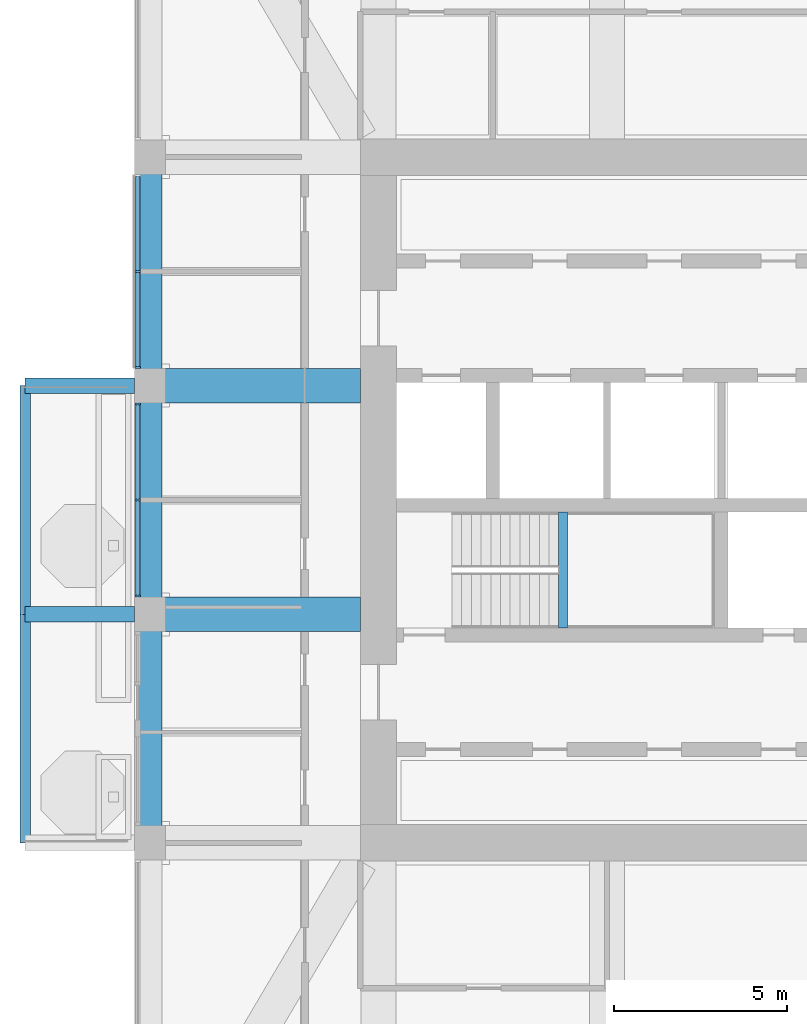
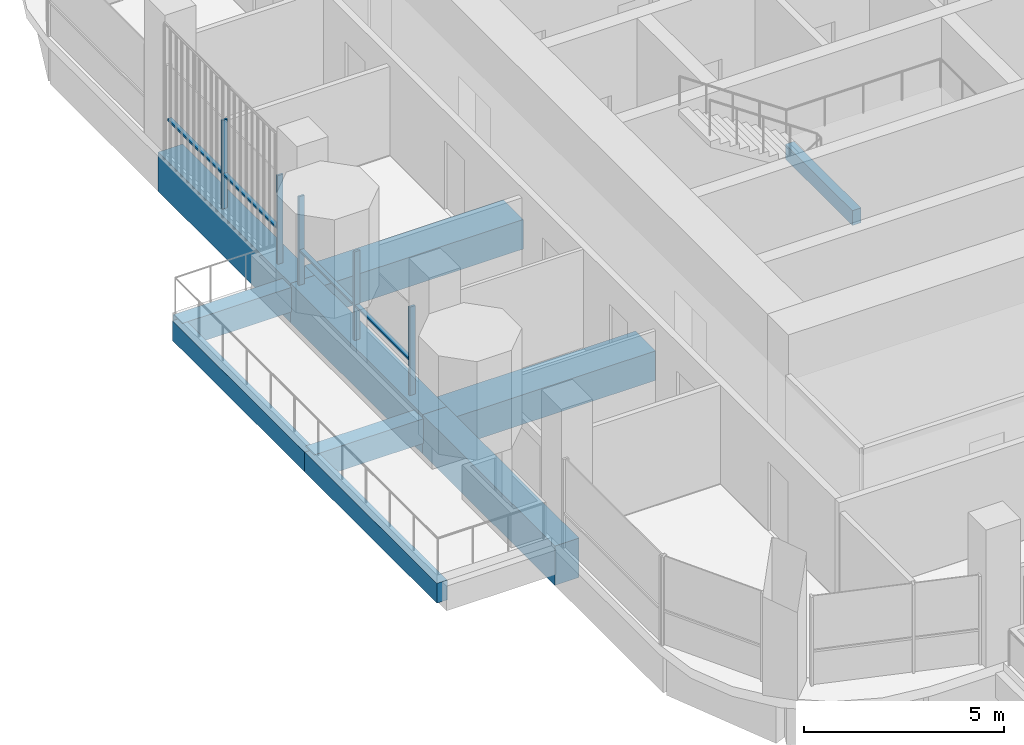
# One storey, part 3 of 18: 10 beams, 9 members, 2 elements without a shape of their own.
"""IFC4 building model written with IfcOpenShell, lengths in metres."""

from ifc_helpers import new_model, si_unit, direction, frame, origin, origin_2d, place, context, subcontext, project, spatial, rectangle, extrude, material, material_profile, profile_set, type_object, element, aggregate, save


model = new_model("IFC4")

# Units and contexts
model_context = context("Model", 3, precision=1e-05, world=origin(), true_north=direction((0.0, 1.0)))
body_context = subcontext(model_context, "Body", "Model", "MODEL_VIEW")
ifc_project = project(units=[si_unit("LENGTHUNIT", "METRE"), si_unit("AREAUNIT", "SQUARE_METRE"), si_unit("VOLUMEUNIT", "CUBIC_METRE"), si_unit("PLANEANGLEUNIT", "RADIAN"), si_unit("MASSUNIT", "GRAM", prefix="KILO")], contexts=[model_context])

# Site, building, storey
site_placement = place(None, origin())
site = spatial("IfcSite", under=ifc_project, at=site_placement, CompositionType="ELEMENT")
building_placement = place(site_placement, origin())
building = spatial("IfcBuilding", under=site, at=building_placement, Name="Cobogo Forest Laboratory Tower", CompositionType="ELEMENT")
storey_placement = place(building_placement, frame((0.0, 0.0, 271.199951171875)))
storey = spatial("IfcBuildingStorey", under=building, at=storey_placement, Name="L62", CompositionType="ELEMENT", Elevation=271.199951171875)

# Beams
ifc_material_1 = material(Name="Concrete HA-40 (C40/50)", Category="concrete")
ifc_material_profile_1 = material_profile(ifc_material_1, rectangle(XDim=0.449951171875, YDim=0.75, at=origin_2d()), Name="RC 450x750")
ifc_profile_set_1 = profile_set([ifc_material_profile_1], Name="Concrete HA-40 (C40/50)")
beam_type_1 = type_object("IfcBeamType", Name="Balcony cantilever beam 450x750", PredefinedType="BEAM", material=ifc_profile_set_1)
for number, where, z_axis, x_axis, name in (
    (1, (6.14990234375, 19.800048828125, -0.625), (-1.0, 0.0, 0.0), (0.0, -1.0, 0.0), "CB1 BAL-W1-C2 L62"),
    (2, (6.14990234375, 26.39990234375, -0.625), (-1.0, 0.0, 0.0), (0.0, -1.0, 0.0), "CB1 BAL-W1-C3 L62"),
):
    element("IfcBeam", number, at=place(storey_placement, frame(where, z_axis=z_axis, x_axis=x_axis)), inside=storey, type_object=beam_type_1, Name=name, PredefinedType="BEAM", context=body_context, shape_type="SweptSolid", body=[
        extrude(rectangle(XDim=0.449951171875, YDim=0.75, at=origin_2d()), origin(), (0.0, 0.0, 1.0), 3.14990234375),
    ])
ifc_material_profile_2 = material_profile(ifc_material_1, rectangle(XDim=0.300048828125, YDim=0.60009765625, at=origin_2d()), Name="RC 300x600")
ifc_profile_set_2 = profile_set([ifc_material_profile_2], Name="Concrete HA-40 (C40/50)")
beam_type_2 = type_object("IfcBeamType", Name="Balcony edge beam 300x600", PredefinedType="BEAM", material=ifc_profile_set_2)
beam_1_placement = place(storey_placement, frame((3.0, 13.199951171875, -0.550048828125), z_axis=(0.0, 1.0, 0.0), x_axis=(-1.0, 0.0, 0.0)))
element("IfcBeam", 3, at=beam_1_placement, inside=storey, type_object=beam_type_2, Name="BB1 BAL-W1-T1 L62", PredefinedType="BEAM", context=body_context, shape_type="SweptSolid", body=[
    extrude(rectangle(XDim=0.300048828125, YDim=0.60009765625, at=origin_2d()), origin(), (0.0, 0.0, 1.0), 6.60009765625),
])
beam_2_placement = place(storey_placement, frame((3.0, 19.800048828125, -0.550048828125), z_axis=(0.0, 1.0, 0.0), x_axis=(-1.0, 0.0, 0.0)))
element("IfcBeam", 4, at=beam_2_placement, inside=storey, type_object=beam_type_2, Name="BB1 BAL-W1-T2 L62", PredefinedType="BEAM", context=body_context, shape_type="SweptSolid", body=[
    extrude(rectangle(XDim=0.300048828125, YDim=0.60009765625, at=origin_2d()), origin(), (0.0, 0.0, 1.0), 6.599853515625),
])
ifc_material_profile_3 = material_profile(ifc_material_1, rectangle(XDim=0.25, YDim=0.449951171875, at=origin_2d()), Name="RC 250x450")
ifc_profile_set_3 = profile_set([ifc_material_profile_3], Name="Concrete HA-40 (C40/50)")
beam_type_3 = type_object("IfcBeamType", Name="LB1 landing beam 250x450", PredefinedType="BEAM", material=ifc_profile_set_3)
beam_3_placement = place(storey_placement, frame((18.530029296875, 19.39990234375, 1.675048828125), z_axis=(0.0, 1.0, 0.0), x_axis=(-1.0, 0.0, 0.0)))
element("IfcBeam", 5, at=beam_3_placement, inside=storey, type_object=beam_type_3, Name="Landing beam ST1 L62", PredefinedType="BEAM", context=body_context, shape_type="SweptSolid", body=[
    extrude(rectangle(XDim=0.25, YDim=0.449951171875, at=origin_2d()), origin(), (0.0, 0.0, 1.0), 3.35009765625),
])

# Curtain wall, members
ifc_material_2 = material(Name="Aluminium curtain wall", Category="aluminium")
curtain_wall_type = type_object("IfcCurtainWallType", Name="CW-2 unitised curtain wall, solar control glazing, laboratory floors zones C and D", PredefinedType="USERDEFINED", material=ifc_material_2)
curtain_wall_1_placement = place(storey_placement, origin())
curtain_wall_1 = element("IfcCurtainWall", 6, at=curtain_wall_1_placement, inside=storey, type_object=curtain_wall_type, Name="Curtain wall 21 L62", ObjectType="UNITISED CURTAIN WALL", PredefinedType="USERDEFINED")
ifc_material_3 = material(Name="Aluminium mullion", Category="aluminium")
ifc_material_profile_4 = material_profile(ifc_material_3, rectangle(XDim=0.06005859375, YDim=0.159912109375, at=origin_2d()), Name="AL 60x160")
ifc_profile_set_4 = profile_set([ifc_material_profile_4], Name="Aluminium mullion")
member_type_1 = type_object("IfcMemberType", Name="MU-1 aluminium mullion 60x160", PredefinedType="MULLION", material=ifc_profile_set_4)
member_1_placement = place(storey_placement, frame((6.25, 29.699951171875, 0.0), z_axis=(0.0, 0.0, 1.0), x_axis=(0.0, -1.0, 0.0)))
member_1 = element("IfcMember", 7, at=member_1_placement, type_object=member_type_1, Name="CW-2 mullion 2", PredefinedType="MULLION", context=body_context, shape_type="SweptSolid", body=[
    extrude(rectangle(XDim=0.06005859375, YDim=0.159912109375, at=origin_2d()), origin(), (0.0, 0.0, 1.0), 2.699951171875),
])
member_2_placement = place(storey_placement, frame((6.25, 26.929931640625, 0.0), z_axis=(0.0, 0.0, 1.0), x_axis=(0.0, -1.0, 0.0)))
member_2 = element("IfcMember", 8, at=member_2_placement, type_object=member_type_1, Name="CW-2 mullion 3", PredefinedType="MULLION", context=body_context, shape_type="SweptSolid", body=[
    extrude(rectangle(XDim=0.06005859375, YDim=0.159912109375, at=origin_2d()), origin(), (0.0, 0.0, 1.0), 2.699951171875),
])

curtain_wall_2_placement = place(storey_placement, origin())
curtain_wall_2 = element("IfcCurtainWall", 9, at=curtain_wall_2_placement, inside=storey, type_object=curtain_wall_type, Name="Curtain wall 22 L62", ObjectType="UNITISED CURTAIN WALL", PredefinedType="USERDEFINED")
member_3_placement = place(storey_placement, frame((6.25, 25.8701171875, 0.0), z_axis=(0.0, 0.0, 1.0), x_axis=(0.0, -1.0, 0.0)))
member_3 = element("IfcMember", 10, at=member_3_placement, type_object=member_type_1, Name="CW-2 mullion 1", PredefinedType="MULLION", context=body_context, shape_type="SweptSolid", body=[
    extrude(rectangle(XDim=0.06005859375, YDim=0.159912109375, at=origin_2d()), origin(), (0.0, 0.0, 1.0), 2.699951171875),
])
member_4_placement = place(storey_placement, frame((6.25, 23.10009765625, 0.0), z_axis=(0.0, 0.0, 1.0), x_axis=(0.0, -1.0, 0.0)))
member_4 = element("IfcMember", 11, at=member_4_placement, type_object=member_type_1, Name="CW-2 mullion 2", PredefinedType="MULLION", context=body_context, shape_type="SweptSolid", body=[
    extrude(rectangle(XDim=0.06005859375, YDim=0.159912109375, at=origin_2d()), origin(), (0.0, 0.0, 1.0), 2.699951171875),
])
member_5_placement = place(storey_placement, frame((6.25, 20.330078125, 0.0), z_axis=(0.0, 0.0, 1.0), x_axis=(0.0, -1.0, 0.0)))
member_5 = element("IfcMember", 12, at=member_5_placement, type_object=member_type_1, Name="CW-2 mullion 3", PredefinedType="MULLION", context=body_context, shape_type="SweptSolid", body=[
    extrude(rectangle(XDim=0.06005859375, YDim=0.159912109375, at=origin_2d()), origin(), (0.0, 0.0, 1.0), 2.699951171875),
])

# Beams
ifc_material_profile_5 = material_profile(ifc_material_1, rectangle(XDim=1.0, YDim=0.89990234375, at=origin_2d()), Name="RC 1000x900")
ifc_profile_set_5 = profile_set([ifc_material_profile_5], Name="Concrete HA-40 (C40/50)")
beam_type_4 = type_object("IfcBeamType", Name="Office floor wide beam 1000x900", PredefinedType="BEAM", material=ifc_profile_set_5)
for number, where, z_axis, x_axis, name in (
    (13, (12.675048828125, 19.800048828125, -0.75), (-1.0, 0.0, 0.0), (0.0, -1.0, 0.0), "RB2 R-D-W L62"),
    (14, (12.675048828125, 26.39990234375, -0.75), (-1.0, 0.0, 0.0), (0.0, -1.0, 0.0), "RB2 R-E-W L62"),
):
    element("IfcBeam", number, at=place(storey_placement, frame(where, z_axis=z_axis, x_axis=x_axis)), inside=storey, type_object=beam_type_4, Name=name, PredefinedType="BEAM", context=body_context, shape_type="SweptSolid", body=[
        extrude(rectangle(XDim=1.0, YDim=0.89990234375, at=origin_2d()), origin(), (0.0, 0.0, 1.0), 6.074951171875),
    ])
ifc_material_profile_6 = material_profile(ifc_material_1, rectangle(XDim=0.699951171875, YDim=1.199951171875, at=origin_2d()), Name="RC 700x1200")
ifc_profile_set_6 = profile_set([ifc_material_profile_6], Name="Concrete HA-40 (C40/50)")
beam_type_5 = type_object("IfcBeamType", Name="Perimeter edge beam 700x1200", PredefinedType="BEAM", material=ifc_profile_set_6)
beam_4_placement = place(storey_placement, frame((6.60009765625, 13.199951171875, -0.89990234375), z_axis=(0.0, 1.0, 0.0), x_axis=(-1.0, 0.0, 0.0)))
element("IfcBeam", 15, at=beam_4_placement, inside=storey, type_object=beam_type_5, Name="EB1 E-W1 L62", PredefinedType="BEAM", context=body_context, shape_type="SweptSolid", body=[
    extrude(rectangle(XDim=0.699951171875, YDim=1.199951171875, at=origin_2d()), origin(), (0.0, 0.0, 1.0), 6.60009765625),
])
beam_5_placement = place(storey_placement, frame((6.60009765625, 19.800048828125, -0.89990234375), z_axis=(0.0, 1.0, 0.0), x_axis=(-1.0, 0.0, 0.0)))
element("IfcBeam", 16, at=beam_5_placement, inside=storey, type_object=beam_type_5, Name="EB1 E-W2 L62", PredefinedType="BEAM", context=body_context, shape_type="SweptSolid", body=[
    extrude(rectangle(XDim=0.699951171875, YDim=1.199951171875, at=origin_2d()), origin(), (0.0, 0.0, 1.0), 6.599853515625),
])
beam_6_placement = place(storey_placement, frame((6.60009765625, 26.39990234375, -0.89990234375), z_axis=(0.0, 1.0, 0.0), x_axis=(-1.0, 0.0, 0.0)))
element("IfcBeam", 17, at=beam_6_placement, inside=storey, type_object=beam_type_5, Name="EB1 E-W3 L62", PredefinedType="BEAM", context=body_context, shape_type="SweptSolid", body=[
    extrude(rectangle(XDim=0.699951171875, YDim=1.199951171875, at=origin_2d()), origin(), (0.0, 0.0, 1.0), 6.60009765625),
])

# Member
ifc_material_4 = material(Name="Aluminium transom", Category="aluminium")
ifc_material_profile_7 = material_profile(ifc_material_4, rectangle(XDim=0.1201171875, YDim=0.06005859375, at=origin_2d()), Name="AL 60x120")
ifc_profile_set_7 = profile_set([ifc_material_profile_7], Name="Aluminium transom")
member_type_2 = type_object("IfcMemberType", Name="TR-1 aluminium transom 60x120", PredefinedType="USERDEFINED", material=ifc_profile_set_7)
member_6_placement = place(storey_placement, frame((6.25, 32.43994140625, 1.050048828125), z_axis=(0.0, -1.0, 0.0), x_axis=(1.0, 0.0, 0.0)))
member_6 = element("IfcMember", 18, at=member_6_placement, type_object=member_type_2, Name="CW-2 transom 1.1", ObjectType="TRANSOM", PredefinedType="USERDEFINED", context=body_context, shape_type="SweptSolid", body=[
    extrude(rectangle(XDim=0.1201171875, YDim=0.06005859375, at=origin_2d()), origin(), (0.0, 0.0, 1.0), 2.7099609375),
])

member_7_placement = place(storey_placement, frame((6.25, 29.669921875, 1.050048828125), z_axis=(0.0, -1.0, 0.0), x_axis=(1.0, 0.0, 0.0)))
member_7 = element("IfcMember", 19, at=member_7_placement, type_object=member_type_2, Name="CW-2 transom 2.1", ObjectType="TRANSOM", PredefinedType="USERDEFINED", context=body_context, shape_type="SweptSolid", body=[
    extrude(rectangle(XDim=0.1201171875, YDim=0.06005859375, at=origin_2d()), origin(), (0.0, 0.0, 1.0), 2.7099609375),
])

aggregate(curtain_wall_1, [member_1, member_2, member_6, member_7])

member_8_placement = place(storey_placement, frame((6.25, 25.840087890625, 1.050048828125), z_axis=(0.0, -1.0, 0.0), x_axis=(1.0, 0.0, 0.0)))
member_8 = element("IfcMember", 20, at=member_8_placement, type_object=member_type_2, Name="CW-2 transom 1.1", ObjectType="TRANSOM", PredefinedType="USERDEFINED", context=body_context, shape_type="SweptSolid", body=[
    extrude(rectangle(XDim=0.1201171875, YDim=0.06005859375, at=origin_2d()), origin(), (0.0, 0.0, 1.0), 2.710205078125),
])

member_9_placement = place(storey_placement, frame((6.25, 23.070068359375, 1.050048828125), z_axis=(0.0, -1.0, 0.0), x_axis=(1.0, 0.0, 0.0)))
member_9 = element("IfcMember", 21, at=member_9_placement, type_object=member_type_2, Name="CW-2 transom 2.1", ObjectType="TRANSOM", PredefinedType="USERDEFINED", context=body_context, shape_type="SweptSolid", body=[
    extrude(rectangle(XDim=0.1201171875, YDim=0.06005859375, at=origin_2d()), origin(), (0.0, 0.0, 1.0), 2.7099609375),
])

aggregate(curtain_wall_2, [member_3, member_4, member_5, member_8, member_9])

save(model, "model.ifc")
